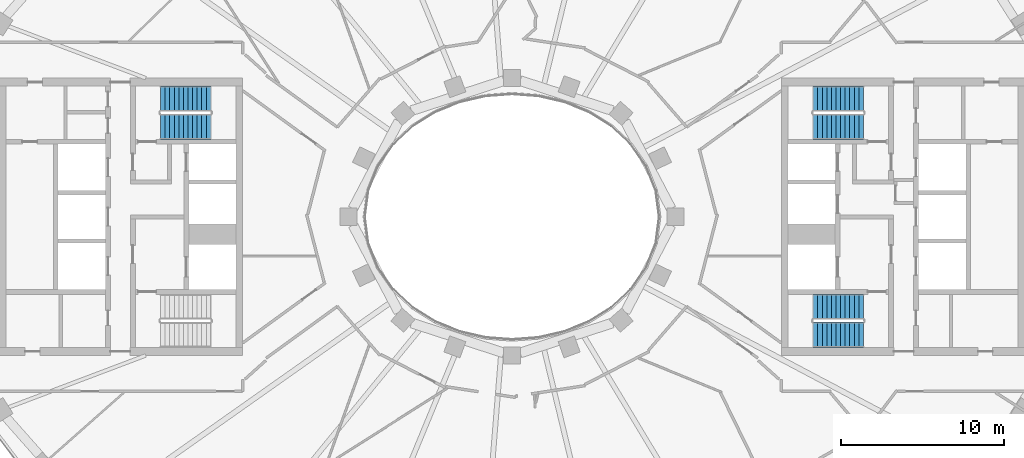
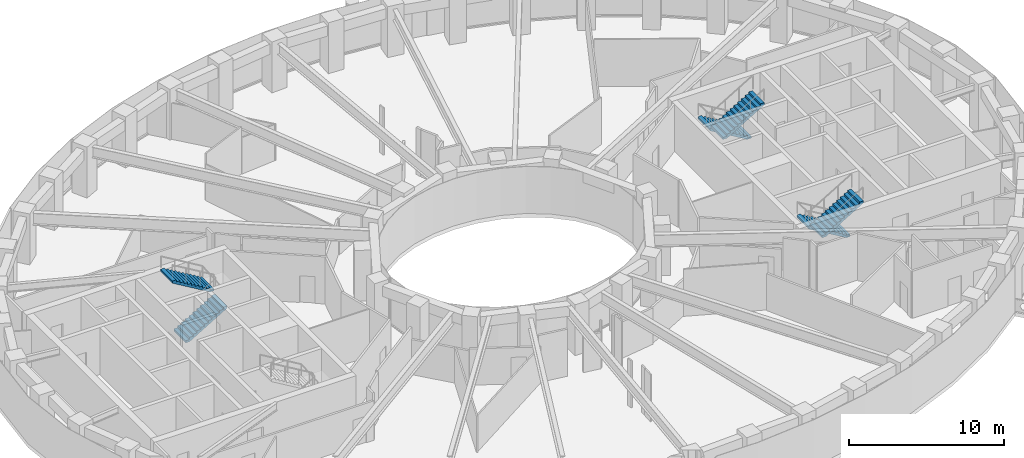
# One storey, part 8 of 17: 6 stair flights, 3 elements without a shape of their own.
"""IFC4 building model written with IfcOpenShell, lengths in metres."""

from ifc_helpers import new_model, si_unit, direction, frame, origin, place, context, subcontext, project, spatial, polyline, outline, extrude, material, type_object, element, aggregate, save


model = new_model("IFC4")

# Units and contexts
model_context = context("Model", 3, precision=1e-05, world=origin(), true_north=direction((0.0, 1.0)))
body_context = subcontext(model_context, "Body", "Model", "MODEL_VIEW")
ifc_project = project(units=[si_unit("LENGTHUNIT", "METRE"), si_unit("AREAUNIT", "SQUARE_METRE"), si_unit("VOLUMEUNIT", "CUBIC_METRE"), si_unit("PLANEANGLEUNIT", "RADIAN"), si_unit("MASSUNIT", "GRAM", prefix="KILO")], contexts=[model_context])

# Site, building, storey
site_placement = place(None, origin())
site = spatial("IfcSite", under=ifc_project, at=site_placement, CompositionType="ELEMENT")
building_placement = place(site_placement, origin())
building = spatial("IfcBuilding", under=site, at=building_placement, Name="Noorbagh Ring Tower", CompositionType="ELEMENT")
storey_placement = place(building_placement, frame((0.0, 0.0, 190.0)))
storey = spatial("IfcBuildingStorey", under=building, at=storey_placement, Name="L44", CompositionType="ELEMENT", Elevation=190.0)

# Stair, stair flights
ifc_material_1 = material(Name="Concrete C40/50", Category="concrete")
stair_type = type_object("IfcStairType", Name="CORE-STAIR", PredefinedType="HALF_TURN_STAIR", material=ifc_material_1)
stair_1_placement = place(storey_placement, origin())
stair_1 = element("IfcStair", 1, at=stair_1_placement, inside=storey, type_object=stair_type, Name="L44 Exit stair ST1", PredefinedType="HALF_TURN_STAIR")
ifc_material_2 = material(Name="Concrete C40/50", Category="concrete")
stair_flight_type = type_object("IfcStairFlightType", Name="CORE-STAIR-FLIGHT", PredefinedType="STRAIGHT", material=ifc_material_2)
stair_flight_1_placement = place(storey_placement, frame((-21.530029296875, 5.52490234375, 0.0), z_axis=(0.0, 0.0, 1.0), x_axis=(1.0, 0.0, 0.0)))
stair_flight_1 = element("IfcStairFlight", 2, at=stair_flight_1_placement, type_object=stair_flight_type, Name="ST1 flight 1", NumberOfRisers=12, NumberOfTreads=11, PredefinedType="STRAIGHT", RiserHeight=0.166666667, TreadLength=0.28, context=body_context, shape_type="SweptSolid", body=[
    extrude(outline(polyline([(0.0, 0.0), (0.0, 0.166748046875), (0.280029296875, 0.166748046875), (0.280029296875, 0.333251953125), (0.56005859375, 0.333251953125), (0.56005859375, 0.5), (0.840087890625, 0.5), (0.840087890625, 0.666748046875), (1.1201171875, 0.666748046875), (1.1201171875, 0.833251953125), (1.39990234375, 0.833251953125), (1.39990234375, 1.0), (1.679931640625, 1.0), (1.679931640625, 1.166748046875), (1.9599609375, 1.166748046875), (1.9599609375, 1.333251953125), (2.239990234375, 1.333251953125), (2.239990234375, 1.5), (2.52001953125, 1.5), (2.52001953125, 1.666748046875), (2.800048828125, 1.666748046875), (2.800048828125, 1.833251953125), (3.080078125, 1.833251953125), (3.080078125, 2.0), (3.080078125, 1.658935546875), (0.29296875, 0.0), (0.0, 0.0)])), frame((0.0, 0.77490234375, 0.0), z_axis=(0.0, -1.0, 0.0), x_axis=(1.0, 0.0, 0.0)), (0.0, 0.0, 1.0), 1.550048828125),
])
stair_flight_2_placement = place(storey_placement, frame((-18.449951171875, 7.22509765625, 2.0), z_axis=(0.0, 0.0, 1.0), x_axis=(-1.0, 0.0, 0.0)))
stair_flight_2 = element("IfcStairFlight", 3, at=stair_flight_2_placement, type_object=stair_flight_type, Name="ST1 flight 2", NumberOfRisers=12, NumberOfTreads=11, PredefinedType="STRAIGHT", RiserHeight=0.166666667, TreadLength=0.28, context=body_context, shape_type="SweptSolid", body=[
    extrude(outline(polyline([(0.0, 0.0), (0.0, 0.166748046875), (0.280029296875, 0.166748046875), (0.280029296875, 0.333251953125), (0.56005859375, 0.333251953125), (0.56005859375, 0.5), (0.840087890625, 0.5), (0.840087890625, 0.666748046875), (1.1201171875, 0.666748046875), (1.1201171875, 0.833251953125), (1.39990234375, 0.833251953125), (1.39990234375, 1.0), (1.679931640625, 1.0), (1.679931640625, 1.166748046875), (1.9599609375, 1.166748046875), (1.9599609375, 1.333251953125), (2.239990234375, 1.333251953125), (2.239990234375, 1.5), (2.52001953125, 1.5), (2.52001953125, 1.666748046875), (2.800048828125, 1.666748046875), (2.800048828125, 1.833251953125), (3.080078125, 1.833251953125), (3.080078125, 2.0), (3.080078125, 1.658935546875), (0.29296875, 0.0), (0.0, 0.0)])), frame((0.0, 0.77490234375, 0.0), z_axis=(0.0, -1.0, 0.0), x_axis=(1.0, 0.0, 0.0)), (0.0, 0.0, 1.0), 1.550048828125),
])
aggregate(stair_1, [stair_flight_1, stair_flight_2])

stair_2_placement = place(storey_placement, origin())
stair_2 = element("IfcStair", 4, at=stair_2_placement, inside=storey, type_object=stair_type, Name="L44 Exit stair ST3", PredefinedType="HALF_TURN_STAIR")
stair_flight_3_placement = place(storey_placement, frame((21.530029296875, 7.22509765625, 0.0), z_axis=(0.0, 0.0, 1.0), x_axis=(-1.0, 0.0, 0.0)))
stair_flight_3 = element("IfcStairFlight", 5, at=stair_flight_3_placement, type_object=stair_flight_type, Name="ST3 flight 1", NumberOfRisers=12, NumberOfTreads=11, PredefinedType="STRAIGHT", RiserHeight=0.166666667, TreadLength=0.28, context=body_context, shape_type="SweptSolid", body=[
    extrude(outline(polyline([(0.0, 0.0), (0.0, 0.166748046875), (0.280029296875, 0.166748046875), (0.280029296875, 0.333251953125), (0.56005859375, 0.333251953125), (0.56005859375, 0.5), (0.840087890625, 0.5), (0.840087890625, 0.666748046875), (1.1201171875, 0.666748046875), (1.1201171875, 0.833251953125), (1.39990234375, 0.833251953125), (1.39990234375, 1.0), (1.679931640625, 1.0), (1.679931640625, 1.166748046875), (1.9599609375, 1.166748046875), (1.9599609375, 1.333251953125), (2.239990234375, 1.333251953125), (2.239990234375, 1.5), (2.52001953125, 1.5), (2.52001953125, 1.666748046875), (2.800048828125, 1.666748046875), (2.800048828125, 1.833251953125), (3.080078125, 1.833251953125), (3.080078125, 2.0), (3.080078125, 1.658935546875), (0.29296875, 0.0), (0.0, 0.0)])), frame((0.0, 0.77490234375, 0.0), z_axis=(0.0, -1.0, 0.0), x_axis=(1.0, 0.0, 0.0)), (0.0, 0.0, 1.0), 1.550048828125),
])
stair_flight_4_placement = place(storey_placement, frame((18.449951171875, 5.52490234375, 2.0), z_axis=(0.0, 0.0, 1.0), x_axis=(1.0, 0.0, 0.0)))
stair_flight_4 = element("IfcStairFlight", 6, at=stair_flight_4_placement, type_object=stair_flight_type, Name="ST3 flight 2", NumberOfRisers=12, NumberOfTreads=11, PredefinedType="STRAIGHT", RiserHeight=0.166666667, TreadLength=0.28, context=body_context, shape_type="SweptSolid", body=[
    extrude(outline(polyline([(0.0, 0.0), (0.0, 0.166748046875), (0.280029296875, 0.166748046875), (0.280029296875, 0.333251953125), (0.56005859375, 0.333251953125), (0.56005859375, 0.5), (0.840087890625, 0.5), (0.840087890625, 0.666748046875), (1.1201171875, 0.666748046875), (1.1201171875, 0.833251953125), (1.39990234375, 0.833251953125), (1.39990234375, 1.0), (1.679931640625, 1.0), (1.679931640625, 1.166748046875), (1.9599609375, 1.166748046875), (1.9599609375, 1.333251953125), (2.239990234375, 1.333251953125), (2.239990234375, 1.5), (2.52001953125, 1.5), (2.52001953125, 1.666748046875), (2.800048828125, 1.666748046875), (2.800048828125, 1.833251953125), (3.080078125, 1.833251953125), (3.080078125, 2.0), (3.080078125, 1.658935546875), (0.29296875, 0.0), (0.0, 0.0)])), frame((0.0, 0.77490234375, 0.0), z_axis=(0.0, -1.0, 0.0), x_axis=(1.0, 0.0, 0.0)), (0.0, 0.0, 1.0), 1.550048828125),
])
aggregate(stair_2, [stair_flight_3, stair_flight_4])

stair_3_placement = place(storey_placement, origin())
stair_3 = element("IfcStair", 7, at=stair_3_placement, inside=storey, type_object=stair_type, Name="L44 Exit stair ST4", PredefinedType="HALF_TURN_STAIR")
stair_flight_5_placement = place(storey_placement, frame((21.530029296875, -5.52490234375, 0.0), z_axis=(0.0, 0.0, 1.0), x_axis=(-1.0, 0.0, 0.0)))
stair_flight_5 = element("IfcStairFlight", 8, at=stair_flight_5_placement, type_object=stair_flight_type, Name="ST4 flight 1", NumberOfRisers=12, NumberOfTreads=11, PredefinedType="STRAIGHT", RiserHeight=0.166666667, TreadLength=0.28, context=body_context, shape_type="SweptSolid", body=[
    extrude(outline(polyline([(0.0, 0.0), (0.0, 0.166748046875), (0.280029296875, 0.166748046875), (0.280029296875, 0.333251953125), (0.56005859375, 0.333251953125), (0.56005859375, 0.5), (0.840087890625, 0.5), (0.840087890625, 0.666748046875), (1.1201171875, 0.666748046875), (1.1201171875, 0.833251953125), (1.39990234375, 0.833251953125), (1.39990234375, 1.0), (1.679931640625, 1.0), (1.679931640625, 1.166748046875), (1.9599609375, 1.166748046875), (1.9599609375, 1.333251953125), (2.239990234375, 1.333251953125), (2.239990234375, 1.5), (2.52001953125, 1.5), (2.52001953125, 1.666748046875), (2.800048828125, 1.666748046875), (2.800048828125, 1.833251953125), (3.080078125, 1.833251953125), (3.080078125, 2.0), (3.080078125, 1.658935546875), (0.29296875, 0.0), (0.0, 0.0)])), frame((0.0, 0.77490234375, 0.0), z_axis=(0.0, -1.0, 0.0), x_axis=(1.0, 0.0, 0.0)), (0.0, 0.0, 1.0), 1.550048828125),
])
stair_flight_6_placement = place(storey_placement, frame((18.449951171875, -7.22509765625, 2.0), z_axis=(0.0, 0.0, 1.0), x_axis=(1.0, 0.0, 0.0)))
stair_flight_6 = element("IfcStairFlight", 9, at=stair_flight_6_placement, type_object=stair_flight_type, Name="ST4 flight 2", NumberOfRisers=12, NumberOfTreads=11, PredefinedType="STRAIGHT", RiserHeight=0.166666667, TreadLength=0.28, context=body_context, shape_type="SweptSolid", body=[
    extrude(outline(polyline([(0.0, 0.0), (0.0, 0.166748046875), (0.280029296875, 0.166748046875), (0.280029296875, 0.333251953125), (0.56005859375, 0.333251953125), (0.56005859375, 0.5), (0.840087890625, 0.5), (0.840087890625, 0.666748046875), (1.1201171875, 0.666748046875), (1.1201171875, 0.833251953125), (1.39990234375, 0.833251953125), (1.39990234375, 1.0), (1.679931640625, 1.0), (1.679931640625, 1.166748046875), (1.9599609375, 1.166748046875), (1.9599609375, 1.333251953125), (2.239990234375, 1.333251953125), (2.239990234375, 1.5), (2.52001953125, 1.5), (2.52001953125, 1.666748046875), (2.800048828125, 1.666748046875), (2.800048828125, 1.833251953125), (3.080078125, 1.833251953125), (3.080078125, 2.0), (3.080078125, 1.658935546875), (0.29296875, 0.0), (0.0, 0.0)])), frame((0.0, 0.77490234375, 0.0), z_axis=(0.0, -1.0, 0.0), x_axis=(1.0, 0.0, 0.0)), (0.0, 0.0, 1.0), 1.550048828125),
])
aggregate(stair_3, [stair_flight_5, stair_flight_6])

save(model, "model.ifc")
